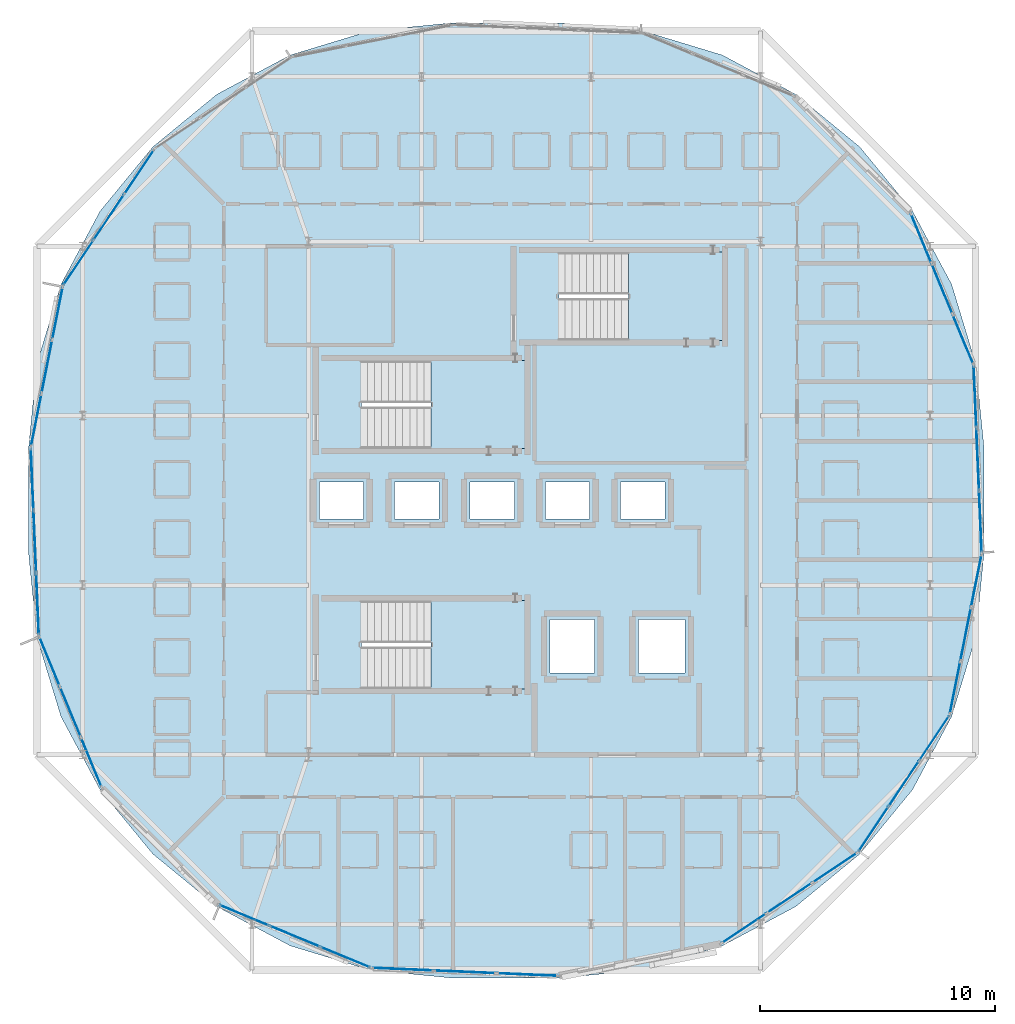
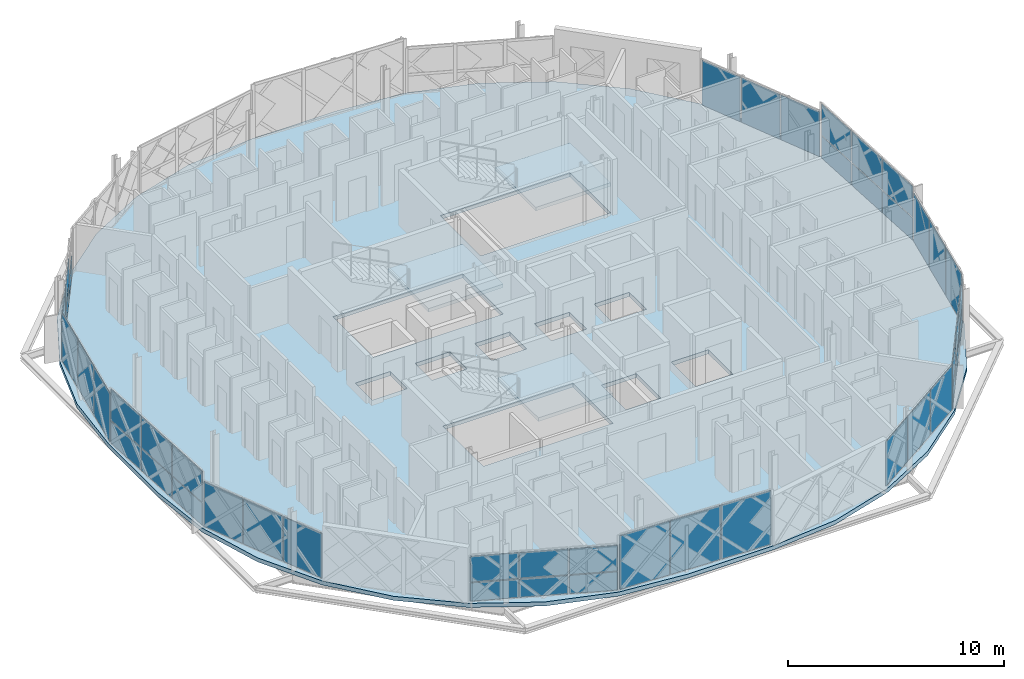
# One storey, part 11 of 24: 47 plates, 4 slabs, 14 elements without a shape of their own.
"""IFC4 building model written with IfcOpenShell, lengths in metres."""

from ifc_helpers import new_model, si_unit, direction, frame, origin, origin_2d, place, context, subcontext, project, spatial, polyline, rectangle, outline, extrude, material, layer, layer_set, type_object, element, aggregate, save


model = new_model("IFC4")

# Units and contexts
model_context = context("Model", 3, precision=1e-05, world=origin(), true_north=direction((0.0, 1.0)))
body_context = subcontext(model_context, "Body", "Model", "MODEL_VIEW")
ifc_project = project(units=[si_unit("LENGTHUNIT", "METRE"), si_unit("AREAUNIT", "SQUARE_METRE"), si_unit("VOLUMEUNIT", "CUBIC_METRE"), si_unit("PLANEANGLEUNIT", "RADIAN"), si_unit("MASSUNIT", "GRAM", prefix="KILO")], contexts=[model_context])

# Site, building, storey
site_placement = place(None, origin())
site = spatial("IfcSite", under=ifc_project, at=site_placement, CompositionType="ELEMENT")
building_placement = place(site_placement, origin())
building = spatial("IfcBuilding", under=site, at=building_placement, Name="Zevrakil Square Congress Hotel", CompositionType="ELEMENT")
storey_placement = place(building_placement, frame((0.0, 0.0, 35.10009765625)))
storey = spatial("IfcBuildingStorey", under=building, at=storey_placement, Name="L10", CompositionType="ELEMENT", Elevation=35.10009765625)

# Curtain wall, plate
ifc_material_1 = material(Name="Aluminium Anodised Bronze", Category="aluminium")
ifc_layer_1 = layer(ifc_material_1, 0.179931640625)
ifc_layer_set_1 = layer_set([ifc_layer_1], Name="Aluminium Anodised Bronze")
curtain_wall_type_1 = type_object("IfcCurtainWallType", Name="CW-L10-720", PredefinedType="USERDEFINED", material=ifc_layer_set_1)
curtain_wall_1_placement = place(storey_placement, origin())
curtain_wall_1 = element("IfcCurtainWall", 1, at=curtain_wall_1_placement, inside=storey, type_object=curtain_wall_type_1, Name="L10 diamond curtain wall CW-L10-0271", ObjectType="GLAZED CURTAIN WALL", PredefinedType="USERDEFINED")
ifc_material_2 = material(Name="Low-E Solar Control Double Glazing", Category="glass")
ifc_layer_2 = layer(ifc_material_2, 0.028076171875)
ifc_layer_set_2 = layer_set([ifc_layer_2], Name="Low-E Solar Control Double Glazing")
plate_type_1 = type_object("IfcPlateType", Name="CWP-GLAZ-28", PredefinedType="CURTAIN_PANEL", material=ifc_layer_set_2)
plate_1_placement = place(storey_placement, frame((155.301513671875, 9.421630859375, 0.06005859375), z_axis=(0.0, 0.0, 1.0), x_axis=(0.831465693332, 0.555576098128, 0.0)))
plate_1 = element("IfcPlate", 2, at=plate_1_placement, type_object=plate_type_1, Name="CW-118 panel 1.1", PredefinedType="CURTAIN_PANEL", context=body_context, shape_type="SweptSolid", body=[
    extrude(rectangle(XDim=2.2451171875, YDim=0.028076171875, at=origin_2d()), origin(), (0.0, 0.0, 1.0), 2.530029296875),
])

# Curtain wall, plates
curtain_wall_2_placement = place(storey_placement, origin())
curtain_wall_2 = element("IfcCurtainWall", 3, at=curtain_wall_2_placement, inside=storey, type_object=curtain_wall_type_1, Name="L10 diamond curtain wall CW-L10-0272", ObjectType="GLAZED CURTAIN WALL", PredefinedType="USERDEFINED")
plate_2_placement = place(storey_placement, frame((162.089111328125, 15.5693359375, 0.059814453125), z_axis=(0.0, 0.0, 1.0), x_axis=(0.555576098128, 0.831465693332, 0.0)))
plate_2 = element("IfcPlate", 4, at=plate_2_placement, type_object=plate_type_1, Name="CW-118 panel 2.1", PredefinedType="CURTAIN_PANEL", context=body_context, shape_type="SweptSolid", body=[
    extrude(rectangle(XDim=2.275146484375, YDim=0.028076171875, at=origin_2d()), origin(), (0.0, 0.0, 1.0), 1.02294921875),
])
plate_3_placement = place(storey_placement, frame((163.378173828125, 17.49853515625, 0.059814453125), z_axis=(0.0, 0.0, 1.0), x_axis=(0.555576098128, 0.831465693332, 0.0)))
plate_3 = element("IfcPlate", 5, at=plate_3_placement, type_object=plate_type_1, Name="CW-118 panel 3.1", PredefinedType="CURTAIN_PANEL", context=body_context, shape_type="SweptSolid", body=[
    extrude(rectangle(XDim=2.2451171875, YDim=0.028076171875, at=origin_2d()), origin(), (0.0, 0.0, 1.0), 1.02294921875),
])

# Curtain wall, plate
curtain_wall_3_placement = place(storey_placement, origin())
curtain_wall_3 = element("IfcCurtainWall", 6, at=curtain_wall_3_placement, inside=storey, type_object=curtain_wall_type_1, Name="L10 diamond curtain wall CW-L10-0273", ObjectType="GLAZED CURTAIN WALL", PredefinedType="USERDEFINED")
plate_4_placement = place(storey_placement, frame((164.71875, 21.91748046875, 0.059814453125), z_axis=(0.0, 0.0, 1.0), x_axis=(0.195083900459, 0.980786557708, 0.0)))
plate_4 = element("IfcPlate", 7, at=plate_4_placement, type_object=plate_type_1, Name="CW-118 panel 2.1", PredefinedType="CURTAIN_PANEL", context=body_context, shape_type="SweptSolid", body=[
    extrude(rectangle(XDim=2.275146484375, YDim=0.028076171875, at=origin_2d()), origin(), (0.0, 0.0, 1.0), 2.72998046875),
])

# Curtain wall, plates
ifc_material_3 = material(Name="Aluminium Anodised Bronze", Category="aluminium")
ifc_layer_3 = layer(ifc_material_3, 0.179931640625)
ifc_layer_set_3 = layer_set([ifc_layer_3], Name="Aluminium Anodised Bronze")
curtain_wall_type_2 = type_object("IfcCurtainWallType", Name="CW-L10-840", PredefinedType="USERDEFINED", material=ifc_layer_set_3)
curtain_wall_4_placement = place(storey_placement, origin())
curtain_wall_4 = element("IfcCurtainWall", 8, at=curtain_wall_4_placement, inside=storey, type_object=curtain_wall_type_2, Name="L10 diamond curtain wall CW-L10-0274", ObjectType="GLAZED CURTAIN WALL", PredefinedType="USERDEFINED")
plate_5_placement = place(storey_placement, frame((165.34375, 26.70068359375, 0.059814453125), z_axis=(0.0, 0.0, 1.0), x_axis=(-0.043102163504, 0.999070669923, 0.0)))
plate_5 = element("IfcPlate", 9, at=plate_5_placement, type_object=plate_type_1, Name="CW-119 panel 1.1", PredefinedType="CURTAIN_PANEL", context=body_context, shape_type="SweptSolid", body=[
    extrude(rectangle(XDim=2.578125, YDim=0.028076171875, at=origin_2d()), origin(), (0.0, 0.0, 1.0), 1.2392578125),
])
plate_6_placement = place(storey_placement, frame((165.2294921875, 29.351318359375, 0.059814453125), z_axis=(0.0, 0.0, 1.0), x_axis=(-0.043102163504, 0.999070669923, 0.0)))
plate_6 = element("IfcPlate", 10, at=plate_6_placement, type_object=plate_type_1, Name="CW-119 panel 2.1", PredefinedType="CURTAIN_PANEL", context=body_context, shape_type="SweptSolid", body=[
    extrude(rectangle(XDim=2.608154296875, YDim=0.028076171875, at=origin_2d()), origin(), (0.0, 0.0, 1.0), 1.2392578125),
])
plate_7_placement = place(storey_placement, frame((165.115234375, 32.001953125, 1.359130859375), z_axis=(0.0, 0.0, 1.0), x_axis=(-0.043102163504, 0.999070669923, 0.0)))
plate_7 = element("IfcPlate", 11, at=plate_7_placement, type_object=plate_type_1, Name="CW-119 panel 3.2", PredefinedType="CURTAIN_PANEL", context=body_context, shape_type="SweptSolid", body=[
    extrude(rectangle(XDim=2.578125, YDim=0.028076171875, at=origin_2d()), origin(), (0.0, 0.0, 1.0), 1.74560546875),
])

# Curtain wall, plate
curtain_wall_5_placement = place(storey_placement, origin())
curtain_wall_5 = element("IfcCurtainWall", 12, at=curtain_wall_5_placement, inside=storey, type_object=curtain_wall_type_1, Name="L10 diamond curtain wall CW-L10-0275", ObjectType="GLAZED CURTAIN WALL", PredefinedType="USERDEFINED")
plate_8_placement = place(storey_placement, frame((163.716552734375, 36.5859375, 0.06005859375), z_axis=(0.0, 0.0, 1.0), x_axis=(-0.382683763454, 0.92387939537, 0.0)))
plate_8 = element("IfcPlate", 13, at=plate_8_placement, type_object=plate_type_1, Name="CW-118 panel 2.1", PredefinedType="CURTAIN_PANEL", context=body_context, shape_type="SweptSolid", body=[
    extrude(rectangle(XDim=2.275146484375, YDim=0.028076171875, at=origin_2d()), origin(), (0.0, 0.0, 1.0), 2.530029296875),
])

curtain_wall_6_placement = place(storey_placement, origin())
curtain_wall_6 = element("IfcCurtainWall", 14, at=curtain_wall_6_placement, inside=storey, type_object=curtain_wall_type_1, Name="L10 diamond curtain wall CW-L10-0280", ObjectType="GLAZED CURTAIN WALL", PredefinedType="USERDEFINED")
plate_9_placement = place(storey_placement, frame((127.021728515625, 37.701416015625, 0.059814453125), z_axis=(0.0, 0.0, 1.0), x_axis=(-0.555576098128, -0.831465693332, 0.0)))
plate_9 = element("IfcPlate", 15, at=plate_9_placement, type_object=plate_type_1, Name="CW-118 panel 3.1", PredefinedType="CURTAIN_PANEL", context=body_context, shape_type="SweptSolid", body=[
    extrude(rectangle(XDim=2.2451171875, YDim=0.028076171875, at=origin_2d()), origin(), (0.0, 0.0, 1.0), 1.02294921875),
])

curtain_wall_7_placement = place(storey_placement, origin())
curtain_wall_7 = element("IfcCurtainWall", 16, at=curtain_wall_7_placement, inside=storey, type_object=curtain_wall_type_1, Name="L10 diamond curtain wall CW-L10-0281", ObjectType="GLAZED CURTAIN WALL", PredefinedType="USERDEFINED")
plate_10_placement = place(storey_placement, frame((126.134033203125, 35.55810546875, 0.059814453125), z_axis=(0.0, 0.0, 1.0), x_axis=(-0.195083900459, -0.980786557708, 0.0)))
plate_10 = element("IfcPlate", 17, at=plate_10_placement, type_object=plate_type_1, Name="CW-118 panel 1.1", PredefinedType="CURTAIN_PANEL", context=body_context, shape_type="SweptSolid", body=[
    extrude(rectangle(XDim=2.2451171875, YDim=0.028076171875, at=origin_2d()), origin(), (0.0, 0.0, 1.0), 2.72998046875),
])

# Curtain wall, plates
curtain_wall_8_placement = place(storey_placement, origin())
curtain_wall_8 = element("IfcCurtainWall", 18, at=curtain_wall_8_placement, inside=storey, type_object=curtain_wall_type_2, Name="L10 diamond curtain wall CW-L10-0282", ObjectType="GLAZED CURTAIN WALL", PredefinedType="USERDEFINED")
plate_11_placement = place(storey_placement, frame((125.17041015625, 25.8486328125, 0.059814453125), z_axis=(0.0, 0.0, 1.0), x_axis=(0.043102163504, -0.999070669923, 0.0)))
plate_11 = element("IfcPlate", 19, at=plate_11_placement, type_object=plate_type_1, Name="CW-119 panel 2.1", PredefinedType="CURTAIN_PANEL", context=body_context, shape_type="SweptSolid", body=[
    extrude(rectangle(XDim=2.608154296875, YDim=0.028076171875, at=origin_2d()), origin(), (0.0, 0.0, 1.0), 1.2392578125),
])
plate_12_placement = place(storey_placement, frame((125.284912109375, 23.197998046875, 0.059814453125), z_axis=(0.0, 0.0, 1.0), x_axis=(0.043102163504, -0.999070669923, 0.0)))
plate_12 = element("IfcPlate", 20, at=plate_12_placement, type_object=plate_type_1, Name="CW-119 panel 3.1", PredefinedType="CURTAIN_PANEL", context=body_context, shape_type="SweptSolid", body=[
    extrude(rectangle(XDim=2.578125, YDim=0.028076171875, at=origin_2d()), origin(), (0.0, 0.0, 1.0), 1.2392578125),
])

# Curtain wall, plate
curtain_wall_9_placement = place(storey_placement, origin())
curtain_wall_9 = element("IfcCurtainWall", 21, at=curtain_wall_9_placement, inside=storey, type_object=curtain_wall_type_1, Name="L10 diamond curtain wall CW-L10-0283", ObjectType="GLAZED CURTAIN WALL", PredefinedType="USERDEFINED")
plate_13_placement = place(storey_placement, frame((126.68359375, 18.614013671875, 0.06005859375), z_axis=(0.0, 0.0, 1.0), x_axis=(0.382683763454, -0.92387939537, 0.0)))
plate_13 = element("IfcPlate", 22, at=plate_13_placement, type_object=plate_type_1, Name="CW-118 panel 2.1", PredefinedType="CURTAIN_PANEL", context=body_context, shape_type="SweptSolid", body=[
    extrude(rectangle(XDim=2.275146484375, YDim=0.028076171875, at=origin_2d()), origin(), (0.0, 0.0, 1.0), 2.530029296875),
])

# Curtain wall, plates
curtain_wall_10_placement = place(storey_placement, origin())
curtain_wall_10 = element("IfcCurtainWall", 23, at=curtain_wall_10_placement, inside=storey, type_object=curtain_wall_type_1, Name="L10 diamond curtain wall CW-L10-0284", ObjectType="GLAZED CURTAIN WALL", PredefinedType="USERDEFINED")
plate_14_placement = place(storey_placement, frame((134.0703125, 9.971435546875, 0.059814453125), z_axis=(0.0, 0.0, 1.0), x_axis=(0.92387939537, -0.382683763454, 0.0)))
plate_14 = element("IfcPlate", 24, at=plate_14_placement, type_object=plate_type_1, Name="CW-118 panel 1.1", PredefinedType="CURTAIN_PANEL", context=body_context, shape_type="SweptSolid", body=[
    extrude(rectangle(XDim=2.245361328125, YDim=0.028076171875, at=origin_2d()), origin(), (0.0, 0.0, 1.0), 1.02294921875),
])
plate_15_placement = place(storey_placement, frame((136.2138671875, 9.08349609375, 0.059814453125), z_axis=(0.0, 0.0, 1.0), x_axis=(0.92387939537, -0.382683763454, 0.0)))
plate_15 = element("IfcPlate", 25, at=plate_15_placement, type_object=plate_type_1, Name="CW-118 panel 2.1", PredefinedType="CURTAIN_PANEL", context=body_context, shape_type="SweptSolid", body=[
    extrude(rectangle(XDim=2.275146484375, YDim=0.028076171875, at=origin_2d()), origin(), (0.0, 0.0, 1.0), 1.02294921875),
])
plate_16_placement = place(storey_placement, frame((138.357666015625, 8.195556640625, 1.14306640625), z_axis=(0.0, 0.0, 1.0), x_axis=(0.92387939537, -0.382683763454, 0.0)))
plate_16 = element("IfcPlate", 26, at=plate_16_placement, type_object=plate_type_1, Name="CW-118 panel 3.2", PredefinedType="CURTAIN_PANEL", context=body_context, shape_type="SweptSolid", body=[
    extrude(rectangle(XDim=2.245361328125, YDim=0.028076171875, at=origin_2d()), origin(), (0.0, 0.0, 1.0), 1.447021484375),
])

# Curtain wall, plate
curtain_wall_11_placement = place(storey_placement, origin())
curtain_wall_11 = element("IfcCurtainWall", 27, at=curtain_wall_11_placement, inside=storey, type_object=curtain_wall_type_2, Name="L10 diamond curtain wall CW-L10-0285", ObjectType="GLAZED CURTAIN WALL", PredefinedType="USERDEFINED")
plate_17_placement = place(storey_placement, frame((143.448486328125, 7.570556640625, 0.06005859375), z_axis=(0.0, 0.0, 1.0), x_axis=(0.999070669923, -0.043102163504, 0.0)))
plate_17 = element("IfcPlate", 28, at=plate_17_placement, type_object=plate_type_1, Name="CW-119 panel 2.1", PredefinedType="CURTAIN_PANEL", context=body_context, shape_type="SweptSolid", body=[
    extrude(rectangle(XDim=2.608154296875, YDim=0.028076171875, at=origin_2d()), origin(), (0.0, 0.0, 1.0), 3.044921875),
])

# Plate
ifc_material_4 = material(Name="Basalt Grey Ribbed GRC Panel", Category="masonry")
ifc_layer_4 = layer(ifc_material_4, 0.0439453125)
ifc_layer_set_4 = layer_set([ifc_layer_4], Name="Basalt Grey Ribbed GRC Panel")
plate_type_2 = type_object("IfcPlateType", Name="CWP-GRCG-44", PredefinedType="CURTAIN_PANEL", material=ifc_layer_set_4)
plate_18_placement = place(storey_placement, frame((159.159912109375, 11.999755859375, 0.06005859375), z_axis=(0.0, 0.0, 1.0), x_axis=(0.831465693332, 0.555576098128, 0.0)))
plate_18 = element("IfcPlate", 29, at=plate_18_placement, type_object=plate_type_2, Name="CW-118 panel 3.1", PredefinedType="CURTAIN_PANEL", context=body_context, shape_type="SweptSolid", body=[
    extrude(rectangle(XDim=2.2451171875, YDim=0.028076171875, at=origin_2d()), origin(), (0.0, 0.0, 1.0), 2.530029296875),
])

plate_19_placement = place(storey_placement, frame((160.800048828125, 13.64013671875, 1.14306640625), z_axis=(0.0, 0.0, 1.0), x_axis=(0.555576098128, 0.831465693332, 0.0)))
plate_19 = element("IfcPlate", 30, at=plate_19_placement, type_object=plate_type_2, Name="CW-118 panel 1.2", PredefinedType="CURTAIN_PANEL", context=body_context, shape_type="SweptSolid", body=[
    extrude(rectangle(XDim=2.2451171875, YDim=0.028076171875, at=origin_2d()), origin(), (0.0, 0.0, 1.0), 1.447021484375),
])

plate_20_placement = place(storey_placement, frame((164.26611328125, 19.641845703125, 0.059814453125), z_axis=(0.0, 0.0, 1.0), x_axis=(0.195083900459, 0.980786557708, 0.0)))
plate_20 = element("IfcPlate", 31, at=plate_20_placement, type_object=plate_type_2, Name="CW-118 panel 1.1", PredefinedType="CURTAIN_PANEL", context=body_context, shape_type="SweptSolid", body=[
    extrude(rectangle(XDim=2.2451171875, YDim=0.028076171875, at=origin_2d()), origin(), (0.0, 0.0, 1.0), 2.72998046875),
])

plate_21_placement = place(storey_placement, frame((165.115234375, 32.001953125, 0.059814453125), z_axis=(0.0, 0.0, 1.0), x_axis=(-0.043102163504, 0.999070669923, 0.0)))
plate_21 = element("IfcPlate", 32, at=plate_21_placement, type_object=plate_type_2, Name="CW-119 panel 3.1", PredefinedType="CURTAIN_PANEL", context=body_context, shape_type="SweptSolid", body=[
    extrude(rectangle(XDim=2.578125, YDim=0.028076171875, at=origin_2d()), origin(), (0.0, 0.0, 1.0), 1.2392578125),
])

plate_22_placement = place(storey_placement, frame((128.310791015625, 39.630615234375, 1.14306640625), z_axis=(0.0, 0.0, 1.0), x_axis=(-0.555576098128, -0.831465693332, 0.0)))
plate_22 = element("IfcPlate", 33, at=plate_22_placement, type_object=plate_type_2, Name="CW-118 panel 2.2", PredefinedType="CURTAIN_PANEL", context=body_context, shape_type="SweptSolid", body=[
    extrude(rectangle(XDim=2.275146484375, YDim=0.028076171875, at=origin_2d()), origin(), (0.0, 0.0, 1.0), 1.447021484375),
])

plate_23_placement = place(storey_placement, frame((125.228759765625, 31.0068359375, 0.059814453125), z_axis=(0.0, 0.0, 1.0), x_axis=(-0.195083900459, -0.980786557708, 0.0)))
plate_23 = element("IfcPlate", 34, at=plate_23_placement, type_object=plate_type_2, Name="CW-118 panel 3.1", PredefinedType="CURTAIN_PANEL", context=body_context, shape_type="SweptSolid", body=[
    extrude(rectangle(XDim=2.2451171875, YDim=0.028076171875, at=origin_2d()), origin(), (0.0, 0.0, 1.0), 2.72998046875),
])

plate_24_placement = place(storey_placement, frame((125.05615234375, 28.499267578125, 1.359130859375), z_axis=(0.0, 0.0, 1.0), x_axis=(0.043102163504, -0.999070669923, 0.0)))
plate_24 = element("IfcPlate", 35, at=plate_24_placement, type_object=plate_type_2, Name="CW-119 panel 1.2", PredefinedType="CURTAIN_PANEL", context=body_context, shape_type="SweptSolid", body=[
    extrude(rectangle(XDim=2.578125, YDim=0.028076171875, at=origin_2d()), origin(), (0.0, 0.0, 1.0), 1.74560546875),
])

plate_25_placement = place(storey_placement, frame((125.795654296875, 20.757568359375, 0.06005859375), z_axis=(0.0, 0.0, 1.0), x_axis=(0.382683763454, -0.92387939537, 0.0)))
plate_25 = element("IfcPlate", 36, at=plate_25_placement, type_object=plate_type_2, Name="CW-118 panel 1.1", PredefinedType="CURTAIN_PANEL", context=body_context, shape_type="SweptSolid", body=[
    extrude(rectangle(XDim=2.245361328125, YDim=0.028076171875, at=origin_2d()), origin(), (0.0, 0.0, 1.0), 2.530029296875),
])

plate_26_placement = place(storey_placement, frame((138.357666015625, 8.195556640625, 0.059814453125), z_axis=(0.0, 0.0, 1.0), x_axis=(0.92387939537, -0.382683763454, 0.0)))
plate_26 = element("IfcPlate", 37, at=plate_26_placement, type_object=plate_type_2, Name="CW-118 panel 3.1", PredefinedType="CURTAIN_PANEL", context=body_context, shape_type="SweptSolid", body=[
    extrude(rectangle(XDim=2.245361328125, YDim=0.028076171875, at=origin_2d()), origin(), (0.0, 0.0, 1.0), 1.02294921875),
])

ifc_material_5 = material(Name="White Ribbed Highland GRC Panel", Category="concrete")
ifc_layer_5 = layer(ifc_material_5, 0.0400390625)
ifc_layer_set_5 = layer_set([ifc_layer_5], Name="White Ribbed Highland GRC Panel")
plate_type_3 = type_object("IfcPlateType", Name="CWP-GRCW-40", PredefinedType="CURTAIN_PANEL", material=ifc_layer_set_5)
plate_27_placement = place(storey_placement, frame((157.230712890625, 10.710693359375, 0.06005859375), z_axis=(0.0, 0.0, 1.0), x_axis=(0.831465693332, 0.555576098128, 0.0)))
plate_27 = element("IfcPlate", 38, at=plate_27_placement, type_object=plate_type_3, Name="CW-118 panel 2.1", PredefinedType="CURTAIN_PANEL", context=body_context, shape_type="SweptSolid", body=[
    extrude(rectangle(XDim=2.275146484375, YDim=0.028076171875, at=origin_2d()), origin(), (0.0, 0.0, 1.0), 2.530029296875),
])

aggregate(curtain_wall_1, [plate_1, plate_27, plate_18])

plate_28_placement = place(storey_placement, frame((160.800048828125, 13.64013671875, 0.059814453125), z_axis=(0.0, 0.0, 1.0), x_axis=(0.555576098128, 0.831465693332, 0.0)))
plate_28 = element("IfcPlate", 39, at=plate_28_placement, type_object=plate_type_3, Name="CW-118 panel 1.1", PredefinedType="CURTAIN_PANEL", context=body_context, shape_type="SweptSolid", body=[
    extrude(rectangle(XDim=2.2451171875, YDim=0.028076171875, at=origin_2d()), origin(), (0.0, 0.0, 1.0), 1.02294921875),
])

plate_29_placement = place(storey_placement, frame((162.089111328125, 15.5693359375, 1.14306640625), z_axis=(0.0, 0.0, 1.0), x_axis=(0.555576098128, 0.831465693332, 0.0)))
plate_29 = element("IfcPlate", 40, at=plate_29_placement, type_object=plate_type_3, Name="CW-118 panel 2.2", PredefinedType="CURTAIN_PANEL", context=body_context, shape_type="SweptSolid", body=[
    extrude(rectangle(XDim=2.275146484375, YDim=0.028076171875, at=origin_2d()), origin(), (0.0, 0.0, 1.0), 1.447021484375),
])

plate_30_placement = place(storey_placement, frame((163.378173828125, 17.49853515625, 1.14306640625), z_axis=(0.0, 0.0, 1.0), x_axis=(0.555576098128, 0.831465693332, 0.0)))
plate_30 = element("IfcPlate", 41, at=plate_30_placement, type_object=plate_type_3, Name="CW-118 panel 3.2", PredefinedType="CURTAIN_PANEL", context=body_context, shape_type="SweptSolid", body=[
    extrude(rectangle(XDim=2.2451171875, YDim=0.028076171875, at=origin_2d()), origin(), (0.0, 0.0, 1.0), 1.447021484375),
])

aggregate(curtain_wall_2, [plate_28, plate_19, plate_2, plate_29, plate_3, plate_30])

plate_31_placement = place(storey_placement, frame((165.17138671875, 24.193115234375, 0.059814453125), z_axis=(0.0, 0.0, 1.0), x_axis=(0.195083900459, 0.980786557708, 0.0)))
plate_31 = element("IfcPlate", 42, at=plate_31_placement, type_object=plate_type_3, Name="CW-118 panel 3.1", PredefinedType="CURTAIN_PANEL", context=body_context, shape_type="SweptSolid", body=[
    extrude(rectangle(XDim=2.2451171875, YDim=0.028076171875, at=origin_2d()), origin(), (0.0, 0.0, 1.0), 2.72998046875),
])

aggregate(curtain_wall_3, [plate_20, plate_4, plate_31])

plate_32_placement = place(storey_placement, frame((165.34375, 26.70068359375, 1.359130859375), z_axis=(0.0, 0.0, 1.0), x_axis=(-0.043102163504, 0.999070669923, 0.0)))
plate_32 = element("IfcPlate", 43, at=plate_32_placement, type_object=plate_type_3, Name="CW-119 panel 1.2", PredefinedType="CURTAIN_PANEL", context=body_context, shape_type="SweptSolid", body=[
    extrude(rectangle(XDim=2.578125, YDim=0.028076171875, at=origin_2d()), origin(), (0.0, 0.0, 1.0), 1.74560546875),
])

plate_33_placement = place(storey_placement, frame((165.2294921875, 29.351318359375, 1.359130859375), z_axis=(0.0, 0.0, 1.0), x_axis=(-0.043102163504, 0.999070669923, 0.0)))
plate_33 = element("IfcPlate", 44, at=plate_33_placement, type_object=plate_type_3, Name="CW-119 panel 2.2", PredefinedType="CURTAIN_PANEL", context=body_context, shape_type="SweptSolid", body=[
    extrude(rectangle(XDim=2.608154296875, YDim=0.028076171875, at=origin_2d()), origin(), (0.0, 0.0, 1.0), 1.74560546875),
])

aggregate(curtain_wall_4, [plate_5, plate_32, plate_6, plate_33, plate_21, plate_7])

plate_34_placement = place(storey_placement, frame((164.6044921875, 34.4423828125, 0.06005859375), z_axis=(0.0, 0.0, 1.0), x_axis=(-0.382683763454, 0.92387939537, 0.0)))
plate_34 = element("IfcPlate", 45, at=plate_34_placement, type_object=plate_type_3, Name="CW-118 panel 1.1", PredefinedType="CURTAIN_PANEL", context=body_context, shape_type="SweptSolid", body=[
    extrude(rectangle(XDim=2.245361328125, YDim=0.028076171875, at=origin_2d()), origin(), (0.0, 0.0, 1.0), 2.530029296875),
])

plate_35_placement = place(storey_placement, frame((162.82861328125, 38.729736328125, 0.06005859375), z_axis=(0.0, 0.0, 1.0), x_axis=(-0.382683763454, 0.92387939537, 0.0)))
plate_35 = element("IfcPlate", 46, at=plate_35_placement, type_object=plate_type_3, Name="CW-118 panel 3.1", PredefinedType="CURTAIN_PANEL", context=body_context, shape_type="SweptSolid", body=[
    extrude(rectangle(XDim=2.245361328125, YDim=0.028076171875, at=origin_2d()), origin(), (0.0, 0.0, 1.0), 2.530029296875),
])

aggregate(curtain_wall_5, [plate_34, plate_8, plate_35])

plate_36_placement = place(storey_placement, frame((129.599853515625, 41.559814453125, 0.059814453125), z_axis=(0.0, 0.0, 1.0), x_axis=(-0.555576098128, -0.831465693332, 0.0)))
plate_36 = element("IfcPlate", 47, at=plate_36_placement, type_object=plate_type_3, Name="CW-118 panel 1.1", PredefinedType="CURTAIN_PANEL", context=body_context, shape_type="SweptSolid", body=[
    extrude(rectangle(XDim=2.2451171875, YDim=0.028076171875, at=origin_2d()), origin(), (0.0, 0.0, 1.0), 1.02294921875),
])

plate_37_placement = place(storey_placement, frame((128.310791015625, 39.630615234375, 0.059814453125), z_axis=(0.0, 0.0, 1.0), x_axis=(-0.555576098128, -0.831465693332, 0.0)))
plate_37 = element("IfcPlate", 48, at=plate_37_placement, type_object=plate_type_3, Name="CW-118 panel 2.1", PredefinedType="CURTAIN_PANEL", context=body_context, shape_type="SweptSolid", body=[
    extrude(rectangle(XDim=2.275146484375, YDim=0.028076171875, at=origin_2d()), origin(), (0.0, 0.0, 1.0), 1.02294921875),
])

plate_38_placement = place(storey_placement, frame((127.021728515625, 37.701416015625, 1.14306640625), z_axis=(0.0, 0.0, 1.0), x_axis=(-0.555576098128, -0.831465693332, 0.0)))
plate_38 = element("IfcPlate", 49, at=plate_38_placement, type_object=plate_type_3, Name="CW-118 panel 3.2", PredefinedType="CURTAIN_PANEL", context=body_context, shape_type="SweptSolid", body=[
    extrude(rectangle(XDim=2.2451171875, YDim=0.028076171875, at=origin_2d()), origin(), (0.0, 0.0, 1.0), 1.447021484375),
])

aggregate(curtain_wall_6, [plate_36, plate_37, plate_22, plate_9, plate_38])

plate_39_placement = place(storey_placement, frame((125.681396484375, 33.282470703125, 0.059814453125), z_axis=(0.0, 0.0, 1.0), x_axis=(-0.195083900459, -0.980786557708, 0.0)))
plate_39 = element("IfcPlate", 50, at=plate_39_placement, type_object=plate_type_3, Name="CW-118 panel 2.1", PredefinedType="CURTAIN_PANEL", context=body_context, shape_type="SweptSolid", body=[
    extrude(rectangle(XDim=2.275146484375, YDim=0.028076171875, at=origin_2d()), origin(), (0.0, 0.0, 1.0), 2.72998046875),
])

aggregate(curtain_wall_7, [plate_10, plate_39, plate_23])

plate_40_placement = place(storey_placement, frame((125.05615234375, 28.499267578125, 0.059814453125), z_axis=(0.0, 0.0, 1.0), x_axis=(0.043102163504, -0.999070669923, 0.0)))
plate_40 = element("IfcPlate", 51, at=plate_40_placement, type_object=plate_type_3, Name="CW-119 panel 1.1", PredefinedType="CURTAIN_PANEL", context=body_context, shape_type="SweptSolid", body=[
    extrude(rectangle(XDim=2.578125, YDim=0.028076171875, at=origin_2d()), origin(), (0.0, 0.0, 1.0), 1.2392578125),
])

plate_41_placement = place(storey_placement, frame((125.17041015625, 25.8486328125, 1.359130859375), z_axis=(0.0, 0.0, 1.0), x_axis=(0.043102163504, -0.999070669923, 0.0)))
plate_41 = element("IfcPlate", 52, at=plate_41_placement, type_object=plate_type_3, Name="CW-119 panel 2.2", PredefinedType="CURTAIN_PANEL", context=body_context, shape_type="SweptSolid", body=[
    extrude(rectangle(XDim=2.608154296875, YDim=0.028076171875, at=origin_2d()), origin(), (0.0, 0.0, 1.0), 1.74560546875),
])

plate_42_placement = place(storey_placement, frame((125.284912109375, 23.197998046875, 1.359130859375), z_axis=(0.0, 0.0, 1.0), x_axis=(0.043102163504, -0.999070669923, 0.0)))
plate_42 = element("IfcPlate", 53, at=plate_42_placement, type_object=plate_type_3, Name="CW-119 panel 3.2", PredefinedType="CURTAIN_PANEL", context=body_context, shape_type="SweptSolid", body=[
    extrude(rectangle(XDim=2.578125, YDim=0.028076171875, at=origin_2d()), origin(), (0.0, 0.0, 1.0), 1.74560546875),
])

aggregate(curtain_wall_8, [plate_40, plate_24, plate_11, plate_41, plate_12, plate_42])

plate_43_placement = place(storey_placement, frame((127.571533203125, 16.47021484375, 0.06005859375), z_axis=(0.0, 0.0, 1.0), x_axis=(0.382683763454, -0.92387939537, 0.0)))
plate_43 = element("IfcPlate", 54, at=plate_43_placement, type_object=plate_type_3, Name="CW-118 panel 3.1", PredefinedType="CURTAIN_PANEL", context=body_context, shape_type="SweptSolid", body=[
    extrude(rectangle(XDim=2.245361328125, YDim=0.028076171875, at=origin_2d()), origin(), (0.0, 0.0, 1.0), 2.530029296875),
])

aggregate(curtain_wall_9, [plate_25, plate_13, plate_43])

plate_44_placement = place(storey_placement, frame((134.0703125, 9.971435546875, 1.14306640625), z_axis=(0.0, 0.0, 1.0), x_axis=(0.92387939537, -0.382683763454, 0.0)))
plate_44 = element("IfcPlate", 55, at=plate_44_placement, type_object=plate_type_3, Name="CW-118 panel 1.2", PredefinedType="CURTAIN_PANEL", context=body_context, shape_type="SweptSolid", body=[
    extrude(rectangle(XDim=2.245361328125, YDim=0.028076171875, at=origin_2d()), origin(), (0.0, 0.0, 1.0), 1.447021484375),
])

plate_45_placement = place(storey_placement, frame((136.2138671875, 9.08349609375, 1.14306640625), z_axis=(0.0, 0.0, 1.0), x_axis=(0.92387939537, -0.382683763454, 0.0)))
plate_45 = element("IfcPlate", 56, at=plate_45_placement, type_object=plate_type_3, Name="CW-118 panel 2.2", PredefinedType="CURTAIN_PANEL", context=body_context, shape_type="SweptSolid", body=[
    extrude(rectangle(XDim=2.275146484375, YDim=0.028076171875, at=origin_2d()), origin(), (0.0, 0.0, 1.0), 1.447021484375),
])

aggregate(curtain_wall_10, [plate_14, plate_44, plate_15, plate_45, plate_26, plate_16])

plate_46_placement = place(storey_placement, frame((140.798095703125, 7.684814453125, 0.06005859375), z_axis=(0.0, 0.0, 1.0), x_axis=(0.999070669923, -0.043102163504, 0.0)))
plate_46 = element("IfcPlate", 57, at=plate_46_placement, type_object=plate_type_3, Name="CW-119 panel 1.1", PredefinedType="CURTAIN_PANEL", context=body_context, shape_type="SweptSolid", body=[
    extrude(rectangle(XDim=2.578125, YDim=0.028076171875, at=origin_2d()), origin(), (0.0, 0.0, 1.0), 3.044921875),
])

plate_47_placement = place(storey_placement, frame((146.09912109375, 7.4560546875, 0.06005859375), z_axis=(0.0, 0.0, 1.0), x_axis=(0.999070669923, -0.043102163504, 0.0)))
plate_47 = element("IfcPlate", 58, at=plate_47_placement, type_object=plate_type_3, Name="CW-119 panel 3.1", PredefinedType="CURTAIN_PANEL", context=body_context, shape_type="SweptSolid", body=[
    extrude(rectangle(XDim=2.578125, YDim=0.028076171875, at=origin_2d()), origin(), (0.0, 0.0, 1.0), 3.044921875),
])

aggregate(curtain_wall_11, [plate_46, plate_17, plate_47])

# Slab
ifc_material_6 = material(Name="Concrete C35/45", Category="concrete")
ifc_layer_6 = layer(ifc_material_6, 0.22998046875)
ifc_layer_set_6 = layer_set([ifc_layer_6], Name="Concrete C35/45")
slab_type_1 = type_object("IfcSlabType", Name="SLB-DRUM-230", PredefinedType="FLOOR", material=ifc_layer_set_6)
slab_1_placement = place(storey_placement, frame((0.0, 0.0, -0.22998046875)))
element("IfcSlab", 59, at=slab_1_placement, inside=storey, type_object=slab_type_1, Name="L10 swelling hotel drum floor slab", PredefinedType="FLOOR", context=body_context, shape_type="SweptSolid", body=[
    extrude(outline(polyline([(147.491943359375, 7.30810546875), (151.003662109375, 7.65380859375), (154.38037109375, 8.67822265625), (157.4921875, 10.341552734375), (160.219970703125, 12.580078125), (162.45849609375, 15.3076171875), (164.121826171875, 18.419677734375), (165.14599609375, 21.79638671875), (165.491943359375, 25.30810546875), (165.491943359375, 29.89208984375), (165.14599609375, 33.403564453125), (164.121826171875, 36.7802734375), (162.45849609375, 39.892333984375), (160.219970703125, 42.619873046875), (157.4921875, 44.8583984375), (154.38037109375, 46.521728515625), (151.003662109375, 47.546142578125), (147.491943359375, 47.89208984375), (142.907958984375, 47.89208984375), (139.396484375, 47.546142578125), (136.019775390625, 46.521728515625), (132.90771484375, 44.8583984375), (130.18017578125, 42.619873046875), (127.94140625, 39.892333984375), (126.2783203125, 36.7802734375), (125.25390625, 33.403564453125), (124.907958984375, 29.89208984375), (124.907958984375, 25.30810546875), (125.25390625, 21.79638671875), (126.2783203125, 18.419677734375), (127.94140625, 15.3076171875), (130.18017578125, 12.580078125), (132.90771484375, 10.341552734375), (136.019775390625, 8.67822265625), (139.396484375, 7.65380859375), (142.907958984375, 7.30810546875), (147.491943359375, 7.30810546875)]), holes=[polyline([(139.044921875, 19.60009765625), (146.0, 19.60009765625), (146.0, 23.35009765625), (139.044921875, 23.35009765625), (139.044921875, 19.60009765625)]), polyline([(139.044921875, 29.800048828125), (146.0, 29.800048828125), (146.0, 33.550048828125), (139.044921875, 33.550048828125), (139.044921875, 29.800048828125)]), polyline([(147.445068359375, 34.39990234375), (154.39990234375, 34.39990234375), (154.39990234375, 38.14990234375), (147.445068359375, 38.14990234375), (147.445068359375, 34.39990234375)]), polyline([(137.260009765625, 26.81005859375), (139.139892578125, 26.81005859375), (139.139892578125, 28.389892578125), (137.260009765625, 28.389892578125), (137.260009765625, 26.81005859375)]), polyline([(140.4599609375, 26.81005859375), (142.340087890625, 26.81005859375), (142.340087890625, 28.389892578125), (140.4599609375, 28.389892578125), (140.4599609375, 26.81005859375)]), polyline([(143.659912109375, 26.81005859375), (145.5400390625, 26.81005859375), (145.5400390625, 28.389892578125), (143.659912109375, 28.389892578125), (143.659912109375, 26.81005859375)]), polyline([(146.860107421875, 26.81005859375), (148.739990234375, 26.81005859375), (148.739990234375, 28.389892578125), (146.860107421875, 28.389892578125), (146.860107421875, 26.81005859375)]), polyline([(150.06005859375, 26.81005859375), (151.93994140625, 26.81005859375), (151.93994140625, 28.389892578125), (150.06005859375, 28.389892578125), (150.06005859375, 26.81005859375)]), polyline([(147.06005859375, 20.260009765625), (148.93994140625, 20.260009765625), (148.93994140625, 22.5400390625), (147.06005859375, 22.5400390625), (147.06005859375, 20.260009765625)]), polyline([(150.81005859375, 20.260009765625), (152.7900390625, 20.260009765625), (152.7900390625, 22.5400390625), (150.81005859375, 22.5400390625), (150.81005859375, 20.260009765625)])]), origin(), (0.0, 0.0, 1.0), 0.22998046875),
])

# Stair, slab
ifc_material_7 = material(Name="Concrete C35/45", Category="concrete")
stair_type = type_object("IfcStairType", Name="STR-DOGLEG-180", PredefinedType="HALF_TURN_STAIR", material=ifc_material_7)
stair_1_placement = place(storey_placement, origin())
stair_1 = element("IfcStair", 60, at=stair_1_placement, inside=storey, type_object=stair_type, Name="L10 Protected exit stair ST01", PredefinedType="HALF_TURN_STAIR")
ifc_material_8 = material(Name="Concrete C35/45", Category="concrete")
ifc_layer_7 = layer(ifc_material_8, 0.199951171875)
ifc_layer_set_7 = layer_set([ifc_layer_7], Name="Concrete C35/45")
slab_type_2 = type_object("IfcSlabType", Name="SLB-STAIR-LAND-200", PredefinedType="LANDING", material=ifc_layer_set_7)
slab_2_placement = place(storey_placement, frame((0.0, 0.0, 1.5)))
slab_2 = element("IfcSlab", 61, at=slab_2_placement, type_object=slab_type_2, Name="ST01 landing 1", PredefinedType="LANDING", context=body_context, shape_type="SweptSolid", body=[
    extrude(outline(polyline([(142.0, 19.60009765625), (146.0, 19.60009765625), (146.0, 23.35009765625), (142.0, 23.35009765625), (142.0, 19.60009765625)])), origin(), (0.0, 0.0, 1.0), 0.199951171875),
])
aggregate(stair_1, [slab_2])

stair_2_placement = place(storey_placement, origin())
stair_2 = element("IfcStair", 62, at=stair_2_placement, inside=storey, type_object=stair_type, Name="L10 Protected exit stair ST02", PredefinedType="HALF_TURN_STAIR")
slab_3_placement = place(storey_placement, frame((0.0, 0.0, 1.5)))
slab_3 = element("IfcSlab", 63, at=slab_3_placement, type_object=slab_type_2, Name="ST02 landing 1", PredefinedType="LANDING", context=body_context, shape_type="SweptSolid", body=[
    extrude(outline(polyline([(142.0, 29.800048828125), (146.0, 29.800048828125), (146.0, 33.550048828125), (142.0, 33.550048828125), (142.0, 29.800048828125)])), origin(), (0.0, 0.0, 1.0), 0.199951171875),
])
aggregate(stair_2, [slab_3])

stair_3_placement = place(storey_placement, origin())
stair_3 = element("IfcStair", 64, at=stair_3_placement, inside=storey, type_object=stair_type, Name="L10 Protected exit stair ST03", PredefinedType="HALF_TURN_STAIR")
slab_4_placement = place(storey_placement, frame((0.0, 0.0, 1.5)))
slab_4 = element("IfcSlab", 65, at=slab_4_placement, type_object=slab_type_2, Name="ST03 landing 1", PredefinedType="LANDING", context=body_context, shape_type="SweptSolid", body=[
    extrude(outline(polyline([(150.39990234375, 34.39990234375), (154.39990234375, 34.39990234375), (154.39990234375, 38.14990234375), (150.39990234375, 38.14990234375), (150.39990234375, 34.39990234375)])), origin(), (0.0, 0.0, 1.0), 0.199951171875),
])
aggregate(stair_3, [slab_4])

save(model, "model.ifc")
